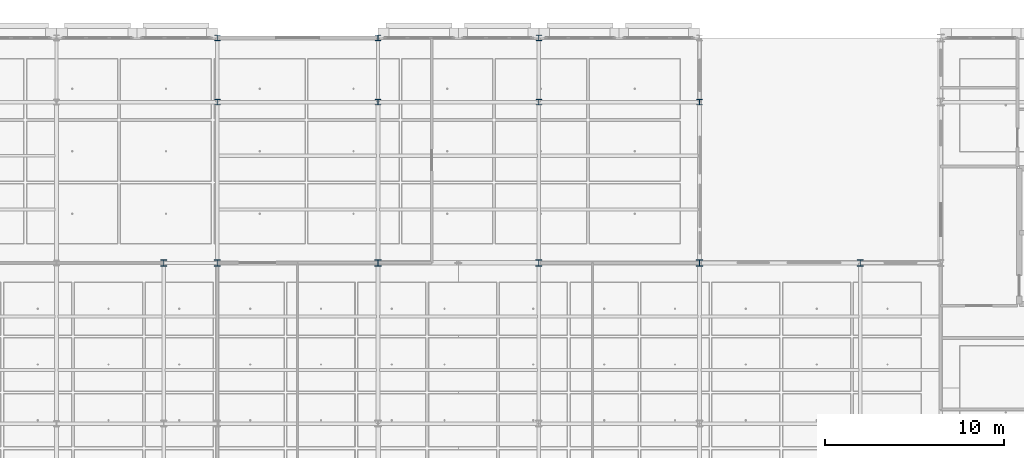
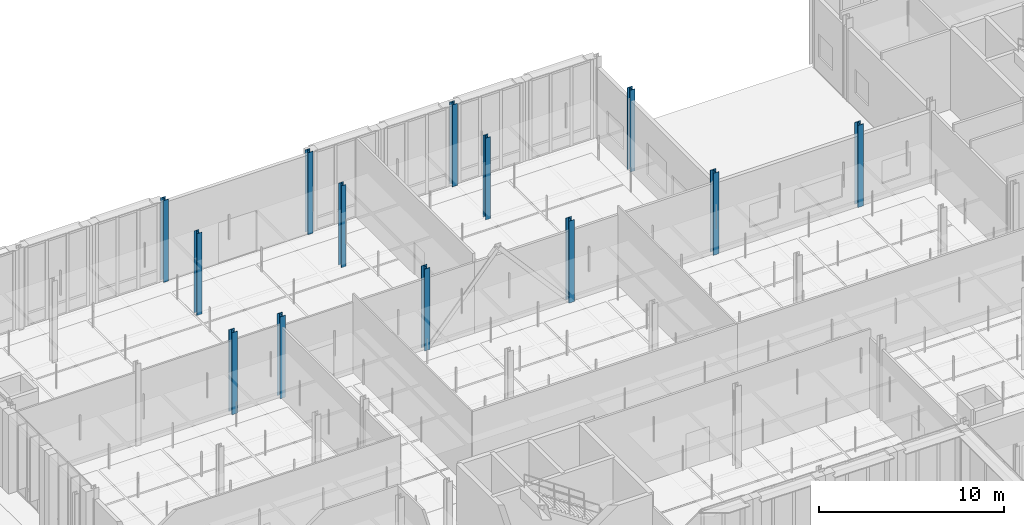
# One storey, part 22 of 180: 13 columns.
"""IFC4 building model written with IfcOpenShell, lengths in metres."""

from ifc_helpers import new_model, si_unit, direction, frame, origin, origin_2d, place, context, subcontext, project, spatial, i_section, extrude, material, material_profile, profile_set, type_object, element, save


model = new_model("IFC4")

# Units and contexts
model_context = context("Model", 3, precision=1e-05, world=origin(), true_north=direction((0.0, 1.0)))
body_context = subcontext(model_context, "Body", "Model", "MODEL_VIEW")
ifc_project = project(units=[si_unit("LENGTHUNIT", "METRE"), si_unit("AREAUNIT", "SQUARE_METRE"), si_unit("VOLUMEUNIT", "CUBIC_METRE"), si_unit("PLANEANGLEUNIT", "RADIAN"), si_unit("MASSUNIT", "GRAM", prefix="KILO"), si_unit("THERMODYNAMICTEMPERATUREUNIT", "KELVIN"), si_unit("POWERUNIT", "WATT")], contexts=[model_context])

# Site, building, storey
site_placement = place(None, origin())
site = spatial("IfcSite", under=ifc_project, at=site_placement, CompositionType="ELEMENT")
building_placement = place(site_placement, origin())
building = spatial("IfcBuilding", under=site, at=building_placement, Name="Tallowbark Science Centre", CompositionType="ELEMENT")
storey_placement = place(building_placement, origin())
storey = spatial("IfcBuildingStorey", under=building, at=storey_placement, Name="L00", CompositionType="ELEMENT", Elevation=0.0)

# Columns
ifc_material = material(Name="Structural Steel Grade 300PLUS (300 MPa)", Category="steel")
ifc_material_profile_1 = material_profile(ifc_material, i_section(OverallWidth=0.307373046875, OverallDepth=0.314697265625, WebThickness=0.011962890625, FlangeThickness=0.018798828125, FilletRadius=0.0166015625, at=origin_2d()), Name="310UC118")
ifc_profile_set_1 = profile_set([ifc_material_profile_1], Name="Structural Steel Grade 300PLUS (300 MPa)")
column_type_1 = type_object("IfcColumnType", Name="COL-UC310C", PredefinedType="COLUMN", material=ifc_profile_set_1)
for number, where, z_axis, x_axis, name in (
    (1, (72.0, 108.0, 0.0), (0.0, 0.0, 1.0), (1.0, 0.0, 0.0), "Column LAB-3_4 L00"),
    (2, (72.0, 111.60009765625, 0.0), (0.0, 0.0, 1.0), (1.0, 0.0, 0.0), "Column LAB-3_5 L00"),
    (3, (81.0, 108.0, 0.0), (0.0, 0.0, 1.0), (1.0, 0.0, 0.0), "Column LAB-4_4 L00"),
    (4, (81.0, 111.60009765625, 0.0), (0.0, 0.0, 1.0), (1.0, 0.0, 0.0), "Column LAB-4_5 L00"),
    (5, (90.0, 108.0, 0.0), (0.0, 0.0, 1.0), (1.0, 0.0, 0.0), "Column LAB-5_4 L00"),
    (6, (90.0, 111.60009765625, 0.0), (0.0, 0.0, 1.0), (1.0, 0.0, 0.0), "Column LAB-5_5 L00"),
    (7, (99.0, 108.0, 0.0), (0.0, 0.0, 1.0), (1.0, 0.0, 0.0), "Column LAB-6_4 L00"),
):
    element("IfcColumn", number, at=place(storey_placement, frame(where, z_axis=z_axis, x_axis=x_axis)), inside=storey, type_object=column_type_1, Name=name, PredefinedType="COLUMN", context=body_context, shape_type="SweptSolid", body=[
        extrude(i_section(OverallWidth=0.307373046875, OverallDepth=0.314697265625, WebThickness=0.011962890625, FlangeThickness=0.018798828125, FilletRadius=0.0166015625, at=origin_2d()), origin(), (0.0, 0.0, 1.0), 5.39990234375),
    ])
ifc_material_profile_2 = material_profile(ifc_material, i_section(OverallWidth=0.35009765625, OverallDepth=0.35888671875, WebThickness=0.01611328125, FlangeThickness=0.02392578125, FilletRadius=0.013916015625, at=origin_2d()), Name="350WC197")
ifc_profile_set_2 = profile_set([ifc_material_profile_2], Name="Structural Steel Grade 300PLUS (300 MPa)")
column_type_2 = type_object("IfcColumnType", Name="COL-WC350", PredefinedType="COLUMN", material=ifc_profile_set_2)
for number, where, z_axis, x_axis, name in (
    (8, (69.0, 99.0, 0.0), (0.0, 0.0, 1.0), (1.0, 0.0, 0.0), "Column LAB-2_3 L00"),
    (9, (72.0, 99.0, 0.0), (0.0, 0.0, 1.0), (1.0, 0.0, 0.0), "Column LAB-3_3 L00"),
    (10, (81.0, 99.0, 0.0), (0.0, 0.0, 1.0), (1.0, 0.0, 0.0), "Column LAB-4_3 L00"),
    (11, (90.0, 99.0, 0.0), (0.0, 0.0, 1.0), (1.0, 0.0, 0.0), "Column LAB-5_3 L00"),
    (12, (99.0, 99.0, 0.0), (0.0, 0.0, 1.0), (1.0, 0.0, 0.0), "Column LAB-6_3 L00"),
    (13, (108.0, 99.0, 0.0), (0.0, 0.0, 1.0), (1.0, 0.0, 0.0), "Column LAB-7_3 L00"),
):
    element("IfcColumn", number, at=place(storey_placement, frame(where, z_axis=z_axis, x_axis=x_axis)), inside=storey, type_object=column_type_2, Name=name, PredefinedType="COLUMN", context=body_context, shape_type="SweptSolid", body=[
        extrude(i_section(OverallWidth=0.35009765625, OverallDepth=0.35888671875, WebThickness=0.01611328125, FlangeThickness=0.02392578125, FilletRadius=0.013916015625, at=origin_2d()), origin(), (0.0, 0.0, 1.0), 5.39990234375),
    ])

save(model, "model.ifc")
